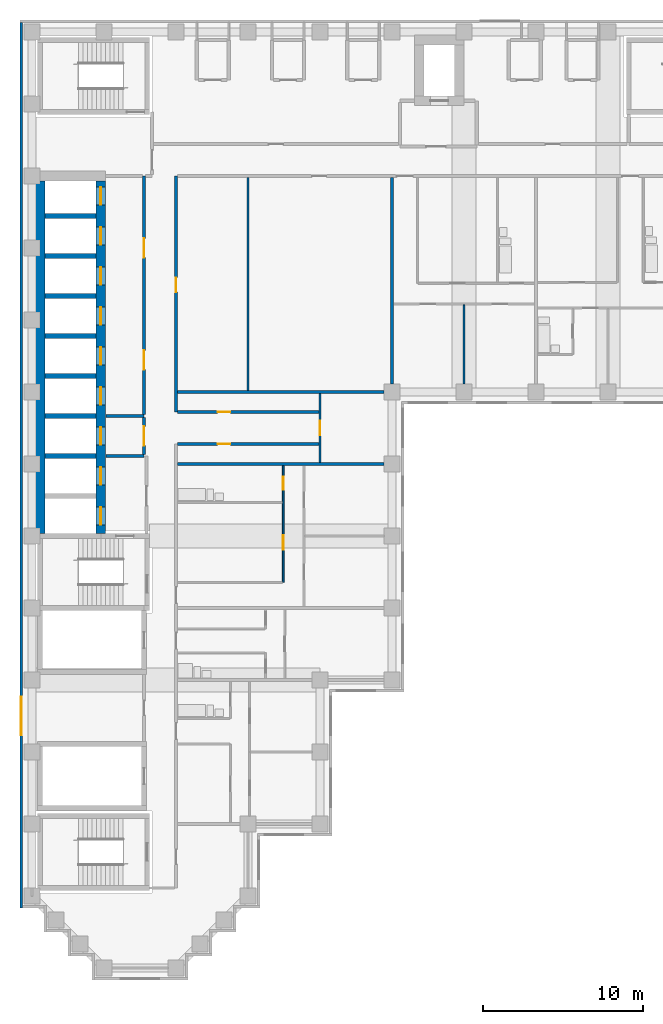
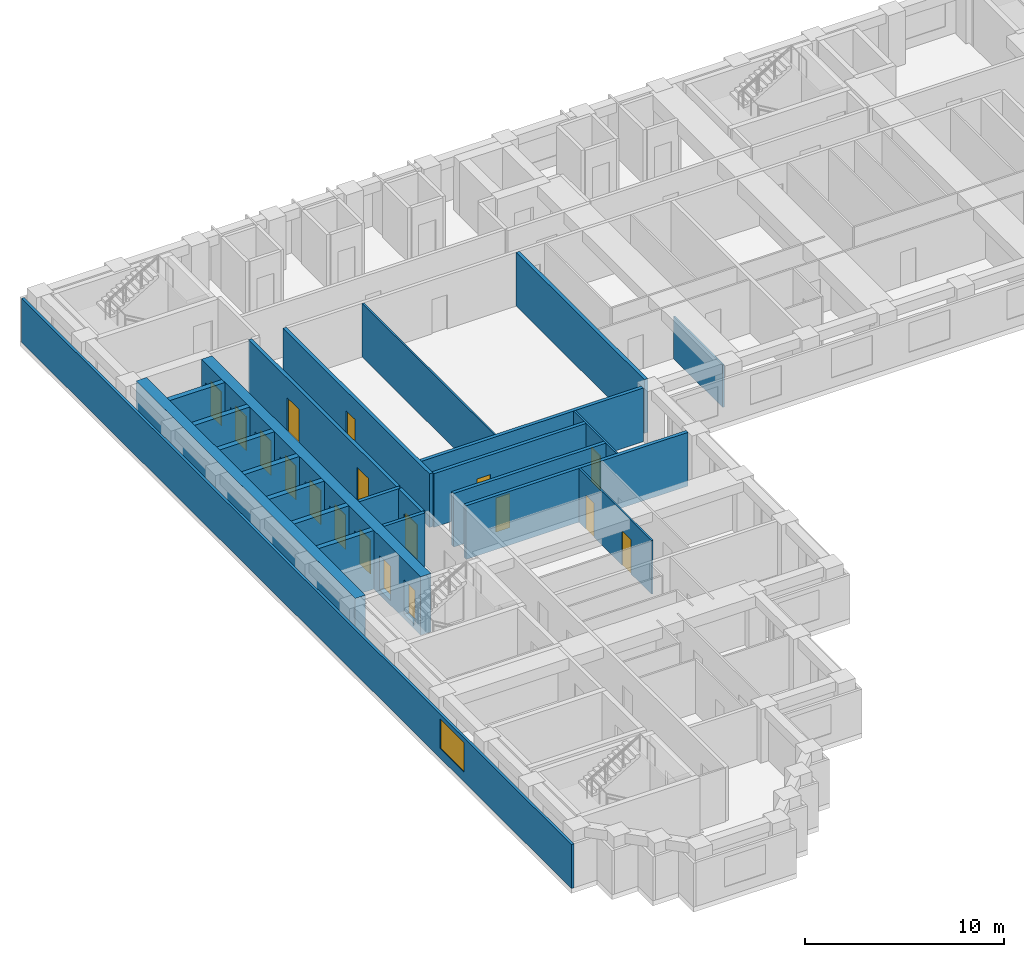
# One storey, part 4 of 12: 24 walls, 18 doors, 1 window, 19 openings.
"""IFC4 building model written with IfcOpenShell, lengths in metres."""

from ifc_helpers import new_model, si_unit, direction, frame, frame_2d, origin, place, context, subcontext, project, spatial, rectangle, extrude, material, layer, layer_set, type_object, element, fill, save


model = new_model("IFC4")

# Units and contexts
model_context = context("Model", 3, precision=1e-05, world=origin(), true_north=direction((0.0, 1.0)))
body_context = subcontext(model_context, "Body", "Model", "MODEL_VIEW")
ifc_project = project(units=[si_unit("LENGTHUNIT", "METRE"), si_unit("AREAUNIT", "SQUARE_METRE"), si_unit("VOLUMEUNIT", "CUBIC_METRE"), si_unit("PLANEANGLEUNIT", "RADIAN"), si_unit("MASSUNIT", "GRAM", prefix="KILO")], contexts=[model_context])

# Site, building, storey
site_placement = place(None, origin())
site = spatial("IfcSite", under=ifc_project, at=site_placement, CompositionType="ELEMENT")
building_placement = place(site_placement, origin())
building = spatial("IfcBuilding", under=site, at=building_placement, Name="Firuza Court", CompositionType="ELEMENT")
storey_placement = place(building_placement, frame((0.0, 0.0, 126.800048828125)))
storey = spatial("IfcBuildingStorey", under=building, at=storey_placement, Name="L31", CompositionType="ELEMENT", Elevation=126.800048828125)

# Walls
ifc_material_1 = material(Name="Concrete C60/75", Category="concrete")
ifc_layer_1 = layer(ifc_material_1, 0.300048828125)
ifc_layer_set_1 = layer_set([ifc_layer_1], Name="Concrete C60/75")
wall_type_1 = type_object("IfcWallType", Name="Core wall 300 C60/75", PredefinedType="SHEAR", material=ifc_layer_set_1)
for number, where, z_axis, x_axis, name in (
    (1, (0.800048828125, 32.0, -0.300048828125), (0.0, 0.0, 1.0), (1.0, 0.0, 0.0), "Core wall lift shaft L31"),
    (2, (0.800048828125, 34.5, -0.300048828125), (0.0, 0.0, 1.0), (1.0, 0.0, 0.0), "Core wall lift shaft L31"),
    (3, (0.800048828125, 37.0, -0.300048828125), (0.0, 0.0, 1.0), (1.0, 0.0, 0.0), "Core wall lift shaft L31"),
    (4, (0.800048828125, 39.5, -0.300048828125), (0.0, 0.0, 1.0), (1.0, 0.0, 0.0), "Core wall lift shaft L31"),
    (5, (0.800048828125, 42.0, -0.300048828125), (0.0, 0.0, 1.0), (1.0, 0.0, 0.0), "Core wall lift shaft L31"),
    (6, (0.800048828125, 44.5, -0.300048828125), (0.0, 0.0, 1.0), (1.0, 0.0, 0.0), "Core wall lift shaft L31"),
    (7, (0.800048828125, 47.0, -0.300048828125), (0.0, 0.0, 1.0), (1.0, 0.0, 0.0), "Core wall lift shaft L31"),
):
    element("IfcWall", number, at=place(storey_placement, frame(where, z_axis=z_axis, x_axis=x_axis)), inside=storey, type_object=wall_type_1, Name=name, PredefinedType="SHEAR", context=body_context, shape_type="SweptSolid", body=[
        extrude(rectangle(XDim=3.199951171875, YDim=0.300048828125, at=frame_2d((1.60009765625, 0.0))), origin(), (0.0, 0.0, 1.0), 3.60009765625),
    ])
ifc_layer_2 = layer(ifc_material_1, 0.60009765625)
ifc_layer_set_2 = layer_set([ifc_layer_2], Name="Concrete C60/75")
wall_type_2 = type_object("IfcWallType", Name="Core wall 600 C60/75", PredefinedType="SHEAR", material=ifc_layer_set_2)
wall_1_placement = place(storey_placement, frame((0.5, 27.14990234375, -0.300048828125), z_axis=(0.0, 0.0, 1.0), x_axis=(0.0, 1.0, 0.0)))
element("IfcWall", 8, at=wall_1_placement, inside=storey, type_object=wall_type_2, Name="Core wall lift shaft L31", PredefinedType="SHEAR", context=body_context, shape_type="SweptSolid", body=[
    extrude(rectangle(XDim=22.050048828125, YDim=0.60009765625, at=frame_2d((11.02490234375, 0.0))), origin(), (0.0, 0.0, 1.0), 3.60009765625),
])

# Wall, openings, doors
wall_2_placement = place(storey_placement, frame((4.300048828125, 27.14990234375, -0.300048828125), z_axis=(0.0, 0.0, 1.0), x_axis=(0.0, 1.0, 0.0)))
wall_2 = element("IfcWall", 9, at=wall_2_placement, inside=storey, type_object=wall_type_2, Name="Core wall lift shaft L31", PredefinedType="SHEAR", context=body_context, shape_type="SweptSolid", body=[
    extrude(rectangle(XDim=22.050048828125, YDim=0.60009765625, at=frame_2d((11.02490234375, 0.0))), origin(), (0.0, 0.0, 1.0), 3.60009765625),
])
opening_1_placement = place(wall_2_placement, frame((3.050048828125, 0.0, 0.300048828125)))
opening_1 = element("IfcOpeningElement", 10, at=opening_1_placement, cuts=wall_2, Name="Opening LD-FL1-31", PredefinedType="OPENING", context=body_context, shape_type="SweptSolid", body=[
    extrude(rectangle(XDim=1.10009765625, YDim=2.10009765625, at=frame_2d((0.550048828125, 1.050048828125))), frame((0.0, 0.31201171875, 0.0), z_axis=(0.0, -1.0, 0.0), x_axis=(1.0, 0.0, 0.0)), (0.0, 0.0, 1.0), 0.6240234375),
])
opening_2_placement = place(wall_2_placement, frame((0.550048828125, 0.0, 0.300048828125)))
opening_2 = element("IfcOpeningElement", 11, at=opening_2_placement, cuts=wall_2, Name="Opening LD-FL2-31", PredefinedType="OPENING", context=body_context, shape_type="SweptSolid", body=[
    extrude(rectangle(XDim=1.10009765625, YDim=2.10009765625, at=frame_2d((0.550048828125, 1.050048828125))), frame((0.0, 0.31201171875, 0.0), z_axis=(0.0, -1.0, 0.0), x_axis=(1.0, 0.0, 0.0)), (0.0, 0.0, 1.0), 0.6240234375),
])
opening_3_placement = place(wall_2_placement, frame((20.550048828125, 0.0, 0.300048828125)))
opening_3 = element("IfcOpeningElement", 12, at=opening_3_placement, cuts=wall_2, Name="Opening LD-HB1-31", PredefinedType="OPENING", context=body_context, shape_type="SweptSolid", body=[
    extrude(rectangle(XDim=1.10009765625, YDim=2.10009765625, at=frame_2d((0.550048828125, 1.050048828125))), frame((0.0, 0.31201171875, 0.0), z_axis=(0.0, -1.0, 0.0), x_axis=(1.0, 0.0, 0.0)), (0.0, 0.0, 1.0), 0.6240234375),
])
opening_4_placement = place(wall_2_placement, frame((18.050048828125, 0.0, 0.300048828125)))
opening_4 = element("IfcOpeningElement", 13, at=opening_4_placement, cuts=wall_2, Name="Opening LD-HB2-31", PredefinedType="OPENING", context=body_context, shape_type="SweptSolid", body=[
    extrude(rectangle(XDim=1.10009765625, YDim=2.10009765625, at=frame_2d((0.550048828125, 1.050048828125))), frame((0.0, 0.31201171875, 0.0), z_axis=(0.0, -1.0, 0.0), x_axis=(1.0, 0.0, 0.0)), (0.0, 0.0, 1.0), 0.6240234375),
])
opening_5_placement = place(wall_2_placement, frame((15.550048828125, 0.0, 0.300048828125)))
opening_5 = element("IfcOpeningElement", 14, at=opening_5_placement, cuts=wall_2, Name="Opening LD-HB3-31", PredefinedType="OPENING", context=body_context, shape_type="SweptSolid", body=[
    extrude(rectangle(XDim=1.10009765625, YDim=2.10009765625, at=frame_2d((0.550048828125, 1.050048828125))), frame((0.0, 0.31201171875, 0.0), z_axis=(0.0, -1.0, 0.0), x_axis=(1.0, 0.0, 0.0)), (0.0, 0.0, 1.0), 0.6240234375),
])
opening_6_placement = place(wall_2_placement, frame((13.050048828125, 0.0, 0.300048828125)))
opening_6 = element("IfcOpeningElement", 15, at=opening_6_placement, cuts=wall_2, Name="Opening LD-HB4-31", PredefinedType="OPENING", context=body_context, shape_type="SweptSolid", body=[
    extrude(rectangle(XDim=1.10009765625, YDim=2.10009765625, at=frame_2d((0.550048828125, 1.050048828125))), frame((0.0, 0.31201171875, 0.0), z_axis=(0.0, -1.0, 0.0), x_axis=(1.0, 0.0, 0.0)), (0.0, 0.0, 1.0), 0.6240234375),
])
opening_7_placement = place(wall_2_placement, frame((10.550048828125, 0.0, 0.300048828125)))
opening_7 = element("IfcOpeningElement", 16, at=opening_7_placement, cuts=wall_2, Name="Opening LD-HB5-31", PredefinedType="OPENING", context=body_context, shape_type="SweptSolid", body=[
    extrude(rectangle(XDim=1.10009765625, YDim=2.10009765625, at=frame_2d((0.550048828125, 1.050048828125))), frame((0.0, 0.31201171875, 0.0), z_axis=(0.0, -1.0, 0.0), x_axis=(1.0, 0.0, 0.0)), (0.0, 0.0, 1.0), 0.6240234375),
])
opening_8_placement = place(wall_2_placement, frame((8.050048828125, 0.0, 0.300048828125)))
opening_8 = element("IfcOpeningElement", 17, at=opening_8_placement, cuts=wall_2, Name="Opening LD-HB6-31", PredefinedType="OPENING", context=body_context, shape_type="SweptSolid", body=[
    extrude(rectangle(XDim=1.10009765625, YDim=2.10009765625, at=frame_2d((0.550048828125, 1.050048828125))), frame((0.0, 0.31201171875, 0.0), z_axis=(0.0, -1.0, 0.0), x_axis=(1.0, 0.0, 0.0)), (0.0, 0.0, 1.0), 0.6240234375),
])
opening_9_placement = place(wall_2_placement, frame((5.550048828125, 0.0, 0.300048828125)))
opening_9 = element("IfcOpeningElement", 18, at=opening_9_placement, cuts=wall_2, Name="Opening LD-SL1-31", PredefinedType="OPENING", context=body_context, shape_type="SweptSolid", body=[
    extrude(rectangle(XDim=1.10009765625, YDim=2.10009765625, at=frame_2d((0.550048828125, 1.050048828125))), frame((0.0, 0.31201171875, 0.0), z_axis=(0.0, -1.0, 0.0), x_axis=(1.0, 0.0, 0.0)), (0.0, 0.0, 1.0), 0.6240234375),
])
ifc_material_2 = material(Name="Stainless steel 1.4301 door leaf", Category="steel")
door_type_1 = type_object("IfcDoorType", Name="Lift landing door 1100", OperationType="SLIDING_TO_LEFT", PredefinedType="DOOR", material=ifc_material_2)
door_1_placement = place(opening_1_placement, origin())
door_1 = element("IfcDoor", 19, at=door_1_placement, inside=storey, type_object=door_type_1, Name="Landing door FL1", OperationType="SLIDING_TO_LEFT", OverallHeight=2.10009765625, OverallWidth=1.10009765625, PredefinedType="DOOR", context=body_context, shape_type="SweptSolid", body=[
    extrude(rectangle(XDim=1.10009765625, YDim=2.10009765625, at=frame_2d((0.550048828125, 1.050048828125))), frame((0.0, 0.02490234375, 0.0), z_axis=(0.0, -1.0, 0.0), x_axis=(1.0, 0.0, 0.0)), (0.0, 0.0, 1.0), 0.050048828125),
])
fill(opening_1, door_1)
door_2_placement = place(opening_2_placement, origin())
door_2 = element("IfcDoor", 20, at=door_2_placement, inside=storey, type_object=door_type_1, Name="Landing door FL2", OperationType="SLIDING_TO_LEFT", OverallHeight=2.10009765625, OverallWidth=1.10009765625, PredefinedType="DOOR", context=body_context, shape_type="SweptSolid", body=[
    extrude(rectangle(XDim=1.10009765625, YDim=2.10009765625, at=frame_2d((0.550048828125, 1.050048828125))), frame((0.0, 0.02490234375, 0.0), z_axis=(0.0, -1.0, 0.0), x_axis=(1.0, 0.0, 0.0)), (0.0, 0.0, 1.0), 0.050048828125),
])
fill(opening_2, door_2)
door_3_placement = place(opening_3_placement, origin())
door_3 = element("IfcDoor", 21, at=door_3_placement, inside=storey, type_object=door_type_1, Name="Landing door HB1", OperationType="SLIDING_TO_LEFT", OverallHeight=2.10009765625, OverallWidth=1.10009765625, PredefinedType="DOOR", context=body_context, shape_type="SweptSolid", body=[
    extrude(rectangle(XDim=1.10009765625, YDim=2.10009765625, at=frame_2d((0.550048828125, 1.050048828125))), frame((0.0, 0.02490234375, 0.0), z_axis=(0.0, -1.0, 0.0), x_axis=(1.0, 0.0, 0.0)), (0.0, 0.0, 1.0), 0.050048828125),
])
fill(opening_3, door_3)
door_4_placement = place(opening_4_placement, origin())
door_4 = element("IfcDoor", 22, at=door_4_placement, inside=storey, type_object=door_type_1, Name="Landing door HB2", OperationType="SLIDING_TO_LEFT", OverallHeight=2.10009765625, OverallWidth=1.10009765625, PredefinedType="DOOR", context=body_context, shape_type="SweptSolid", body=[
    extrude(rectangle(XDim=1.10009765625, YDim=2.10009765625, at=frame_2d((0.550048828125, 1.050048828125))), frame((0.0, 0.02490234375, 0.0), z_axis=(0.0, -1.0, 0.0), x_axis=(1.0, 0.0, 0.0)), (0.0, 0.0, 1.0), 0.050048828125),
])
fill(opening_4, door_4)
door_5_placement = place(opening_5_placement, origin())
door_5 = element("IfcDoor", 23, at=door_5_placement, inside=storey, type_object=door_type_1, Name="Landing door HB3", OperationType="SLIDING_TO_LEFT", OverallHeight=2.10009765625, OverallWidth=1.10009765625, PredefinedType="DOOR", context=body_context, shape_type="SweptSolid", body=[
    extrude(rectangle(XDim=1.10009765625, YDim=2.10009765625, at=frame_2d((0.550048828125, 1.050048828125))), frame((0.0, 0.02490234375, 0.0), z_axis=(0.0, -1.0, 0.0), x_axis=(1.0, 0.0, 0.0)), (0.0, 0.0, 1.0), 0.050048828125),
])
fill(opening_5, door_5)
door_6_placement = place(opening_6_placement, origin())
door_6 = element("IfcDoor", 24, at=door_6_placement, inside=storey, type_object=door_type_1, Name="Landing door HB4", OperationType="SLIDING_TO_LEFT", OverallHeight=2.10009765625, OverallWidth=1.10009765625, PredefinedType="DOOR", context=body_context, shape_type="SweptSolid", body=[
    extrude(rectangle(XDim=1.10009765625, YDim=2.10009765625, at=frame_2d((0.550048828125, 1.050048828125))), frame((0.0, 0.02490234375, 0.0), z_axis=(0.0, -1.0, 0.0), x_axis=(1.0, 0.0, 0.0)), (0.0, 0.0, 1.0), 0.050048828125),
])
fill(opening_6, door_6)
door_7_placement = place(opening_7_placement, origin())
door_7 = element("IfcDoor", 25, at=door_7_placement, inside=storey, type_object=door_type_1, Name="Landing door HB5", OperationType="SLIDING_TO_LEFT", OverallHeight=2.10009765625, OverallWidth=1.10009765625, PredefinedType="DOOR", context=body_context, shape_type="SweptSolid", body=[
    extrude(rectangle(XDim=1.10009765625, YDim=2.10009765625, at=frame_2d((0.550048828125, 1.050048828125))), frame((0.0, 0.02490234375, 0.0), z_axis=(0.0, -1.0, 0.0), x_axis=(1.0, 0.0, 0.0)), (0.0, 0.0, 1.0), 0.050048828125),
])
fill(opening_7, door_7)
door_8_placement = place(opening_8_placement, origin())
door_8 = element("IfcDoor", 26, at=door_8_placement, inside=storey, type_object=door_type_1, Name="Landing door HB6", OperationType="SLIDING_TO_LEFT", OverallHeight=2.10009765625, OverallWidth=1.10009765625, PredefinedType="DOOR", context=body_context, shape_type="SweptSolid", body=[
    extrude(rectangle(XDim=1.10009765625, YDim=2.10009765625, at=frame_2d((0.550048828125, 1.050048828125))), frame((0.0, 0.02490234375, 0.0), z_axis=(0.0, -1.0, 0.0), x_axis=(1.0, 0.0, 0.0)), (0.0, 0.0, 1.0), 0.050048828125),
])
fill(opening_8, door_8)
door_9_placement = place(opening_9_placement, origin())
door_9 = element("IfcDoor", 27, at=door_9_placement, inside=storey, type_object=door_type_1, Name="Landing door SL1", OperationType="SLIDING_TO_LEFT", OverallHeight=2.10009765625, OverallWidth=1.10009765625, PredefinedType="DOOR", context=body_context, shape_type="SweptSolid", body=[
    extrude(rectangle(XDim=1.10009765625, YDim=2.10009765625, at=frame_2d((0.550048828125, 1.050048828125))), frame((0.0, 0.02490234375, 0.0), z_axis=(0.0, -1.0, 0.0), x_axis=(1.0, 0.0, 0.0)), (0.0, 0.0, 1.0), 0.050048828125),
])
fill(opening_9, door_9)

# Wall, opening, door
ifc_material_3 = material(Name="Blockwork, plastered both sides", Category="masonry")
ifc_layer_3 = layer(ifc_material_3, 0.199951171875)
ifc_layer_set_3 = layer_set([ifc_layer_3], Name="Blockwork, plastered both sides")
wall_type_3 = type_object("IfcWallType", Name="Corridor wall 200", PredefinedType="PARTITIONING", material=ifc_layer_set_3)
wall_3_placement = place(storey_placement, frame((9.10009765625, 32.75, 0.0), z_axis=(0.0, 0.0, 1.0), x_axis=(1.0, 0.0, 0.0)))
wall_3 = element("IfcWall", 28, at=wall_3_placement, inside=storey, type_object=wall_type_3, Name="Corridor wall 200 L31", PredefinedType="PARTITIONING", context=body_context, shape_type="SweptSolid", body=[
    extrude(rectangle(XDim=8.849853515625, YDim=0.199951171875, at=frame_2d((4.4248046875, 0.0))), origin(), (0.0, 0.0, 1.0), 3.300048828125),
])
opening_10_placement = place(wall_3_placement, frame((2.5, 0.0, 0.0)))
opening_10 = element("IfcOpeningElement", 29, at=opening_10_placement, cuts=wall_3, Name="Opening D31035", PredefinedType="OPENING", context=body_context, shape_type="SweptSolid", body=[
    extrude(rectangle(XDim=0.800048828125, YDim=2.10009765625, at=frame_2d((0.39990234375, 1.050048828125))), frame((0.0, 0.11181640625, 0.0), z_axis=(0.0, -1.0, 0.0), x_axis=(1.0, 0.0, 0.0)), (0.0, 0.0, 1.0), 0.223876953125),
])
ifc_material_4 = material(Name="Timber door leaf in hardwood frame", Category="wood")
door_type_2 = type_object("IfcDoorType", Name="Room door 800 EI 30", OperationType="SINGLE_SWING_LEFT", PredefinedType="DOOR", material=ifc_material_4)
door_10_placement = place(opening_10_placement, frame((0.800048828125, 0.0, 0.0), z_axis=(0.0, 0.0, 1.0), x_axis=(-1.0, 0.0, 0.0)))
door_10 = element("IfcDoor", 30, at=door_10_placement, inside=storey, type_object=door_type_2, Name="Store door", OperationType="SINGLE_SWING_RIGHT", OverallHeight=2.10009765625, OverallWidth=0.800048828125, PredefinedType="DOOR", context=body_context, shape_type="SweptSolid", body=[
    extrude(rectangle(XDim=0.800048828125, YDim=2.10009765625, at=frame_2d((0.39990234375, 1.050048828125))), frame((0.0, 0.02490234375, 0.0), z_axis=(0.0, -1.0, 0.0), x_axis=(1.0, 0.0, 0.0)), (0.0, 0.0, 1.0), 0.050048828125),
])
fill(opening_10, door_10)

wall_4_placement = place(storey_placement, frame((9.0, 34.75, 0.0), z_axis=(0.0, 0.0, 1.0), x_axis=(0.0, 1.0, 0.0)))
wall_4 = element("IfcWall", 31, at=wall_4_placement, inside=storey, type_object=wall_type_3, Name="Corridor wall 200 L31", PredefinedType="PARTITIONING", context=body_context, shape_type="SweptSolid", body=[
    extrude(rectangle(XDim=14.75, YDim=0.199951171875, at=frame_2d((7.375, 0.0))), origin(), (0.0, 0.0, 1.0), 3.300048828125),
])
opening_11_placement = place(wall_4_placement, frame((7.5, 0.0, 0.0)))
opening_11 = element("IfcOpeningElement", 32, at=opening_11_placement, cuts=wall_4, Name="Opening D31036", PredefinedType="OPENING", context=body_context, shape_type="SweptSolid", body=[
    extrude(rectangle(XDim=0.89990234375, YDim=2.10009765625, at=frame_2d((0.449951171875, 1.050048828125))), frame((0.0, 0.11181640625, 0.0), z_axis=(0.0, -1.0, 0.0), x_axis=(1.0, 0.0, 0.0)), (0.0, 0.0, 1.0), 0.223876953125),
])
ifc_material_5 = material(Name="Timber door leaf in hardwood frame", Category="wood")
door_type_3 = type_object("IfcDoorType", Name="Room door 900 EI 30", OperationType="SINGLE_SWING_LEFT", PredefinedType="DOOR", material=ifc_material_5)
door_11_placement = place(opening_11_placement, origin())
door_11 = element("IfcDoor", 33, at=door_11_placement, inside=storey, type_object=door_type_3, Name="Residents' lounge door", OperationType="SINGLE_SWING_LEFT", OverallHeight=2.10009765625, OverallWidth=0.89990234375, PredefinedType="DOOR", context=body_context, shape_type="SweptSolid", body=[
    extrude(rectangle(XDim=0.89990234375, YDim=2.10009765625, at=frame_2d((0.449951171875, 1.050048828125))), frame((0.0, 0.02490234375, 0.0), z_axis=(0.0, -1.0, 0.0), x_axis=(1.0, 0.0, 0.0)), (0.0, 0.0, 1.0), 0.050048828125),
])
fill(opening_11, door_11)

wall_5_placement = place(storey_placement, frame((9.10009765625, 34.75, 0.0), z_axis=(0.0, 0.0, 1.0), x_axis=(1.0, 0.0, 0.0)))
wall_5 = element("IfcWall", 34, at=wall_5_placement, inside=storey, type_object=wall_type_3, Name="Corridor wall 200 L31", PredefinedType="PARTITIONING", context=body_context, shape_type="SweptSolid", body=[
    extrude(rectangle(XDim=8.849853515625, YDim=0.199951171875, at=frame_2d((4.4248046875, 0.0))), origin(), (0.0, 0.0, 1.0), 3.300048828125),
])
opening_12_placement = place(wall_5_placement, frame((2.5, 0.0, 0.0)))
opening_12 = element("IfcOpeningElement", 35, at=opening_12_placement, cuts=wall_5, Name="Opening D31037", PredefinedType="OPENING", context=body_context, shape_type="SweptSolid", body=[
    extrude(rectangle(XDim=0.800048828125, YDim=2.10009765625, at=frame_2d((0.39990234375, 1.050048828125))), frame((0.0, 0.11181640625, 0.0), z_axis=(0.0, -1.0, 0.0), x_axis=(1.0, 0.0, 0.0)), (0.0, 0.0, 1.0), 0.223876953125),
])
door_12_placement = place(opening_12_placement, origin())
door_12 = element("IfcDoor", 36, at=door_12_placement, inside=storey, type_object=door_type_2, Name="Store door", OperationType="SINGLE_SWING_LEFT", OverallHeight=2.10009765625, OverallWidth=0.800048828125, PredefinedType="DOOR", context=body_context, shape_type="SweptSolid", body=[
    extrude(rectangle(XDim=0.800048828125, YDim=2.10009765625, at=frame_2d((0.39990234375, 1.050048828125))), frame((0.0, 0.02490234375, 0.0), z_axis=(0.0, -1.0, 0.0), x_axis=(1.0, 0.0, 0.0)), (0.0, 0.0, 1.0), 0.050048828125),
])
fill(opening_12, door_12)

# Wall, openings, doors
ifc_material_6 = material(Name="Timber stud partition, plasterboard both sides", Category="wood")
ifc_layer_4 = layer(ifc_material_6, 0.10009765625)
ifc_layer_set_4 = layer_set([ifc_layer_4], Name="Timber stud partition, plasterboard both sides")
wall_type_4 = type_object("IfcWallType", Name="Partition wall 100", PredefinedType="PARTITIONING", material=ifc_layer_set_4)
wall_6_placement = place(storey_placement, frame((15.699951171875, 24.10009765625, 0.0), z_axis=(0.0, 0.0, 1.0), x_axis=(0.0, 1.0, 0.0)))
wall_6 = element("IfcWall", 37, at=wall_6_placement, inside=storey, type_object=wall_type_4, Name="Partition wall 100 L31", PredefinedType="PARTITIONING", context=body_context, shape_type="SweptSolid", body=[
    extrude(rectangle(XDim=7.2998046875, YDim=0.10009765625, at=frame_2d((3.64990234375, 0.0))), origin(), (0.0, 0.0, 1.0), 3.300048828125),
])
opening_13_placement = place(wall_6_placement, frame((5.800048828125, 0.0, 0.0)))
opening_13 = element("IfcOpeningElement", 38, at=opening_13_placement, cuts=wall_6, Name="Opening D31032", PredefinedType="OPENING", context=body_context, shape_type="SweptSolid", body=[
    extrude(rectangle(XDim=0.800048828125, YDim=2.10009765625, at=frame_2d((0.39990234375, 1.050048828125))), frame((0.0, 0.06201171875, 0.0), z_axis=(0.0, -1.0, 0.0), x_axis=(1.0, 0.0, 0.0)), (0.0, 0.0, 1.0), 0.1240234375),
])
opening_14_placement = place(wall_6_placement, frame((2.050048828125, 0.0, 0.0)))
opening_14 = element("IfcOpeningElement", 39, at=opening_14_placement, cuts=wall_6, Name="Opening D31033", PredefinedType="OPENING", context=body_context, shape_type="SweptSolid", body=[
    extrude(rectangle(XDim=0.89990234375, YDim=2.10009765625, at=frame_2d((0.449951171875, 1.050048828125))), frame((0.0, 0.06201171875, 0.0), z_axis=(0.0, -1.0, 0.0), x_axis=(1.0, 0.0, 0.0)), (0.0, 0.0, 1.0), 0.1240234375),
])
ifc_material_7 = material(Name="Timber door leaf in hardwood frame", Category="wood")
door_type_4 = type_object("IfcDoorType", Name="Bathroom door 800", OperationType="SINGLE_SWING_LEFT", PredefinedType="DOOR", material=ifc_material_7)
door_13_placement = place(opening_13_placement, origin())
door_13 = element("IfcDoor", 40, at=door_13_placement, inside=storey, type_object=door_type_4, Name="Bathroom door", OperationType="SINGLE_SWING_LEFT", OverallHeight=2.10009765625, OverallWidth=0.800048828125, PredefinedType="DOOR", context=body_context, shape_type="SweptSolid", body=[
    extrude(rectangle(XDim=0.800048828125, YDim=2.10009765625, at=frame_2d((0.39990234375, 1.050048828125))), frame((0.0, 0.02490234375, 0.0), z_axis=(0.0, -1.0, 0.0), x_axis=(1.0, 0.0, 0.0)), (0.0, 0.0, 1.0), 0.050048828125),
])
fill(opening_13, door_13)
ifc_material_8 = material(Name="Timber door leaf in hardwood frame", Category="wood")
door_type_5 = type_object("IfcDoorType", Name="Room door 900", OperationType="SINGLE_SWING_LEFT", PredefinedType="DOOR", material=ifc_material_8)
door_14_placement = place(opening_14_placement, origin())
door_14 = element("IfcDoor", 41, at=door_14_placement, inside=storey, type_object=door_type_5, Name="Kitchen door", OperationType="SINGLE_SWING_LEFT", OverallHeight=2.10009765625, OverallWidth=0.89990234375, PredefinedType="DOOR", context=body_context, shape_type="SweptSolid", body=[
    extrude(rectangle(XDim=0.89990234375, YDim=2.10009765625, at=frame_2d((0.449951171875, 1.050048828125))), frame((0.0, 0.02490234375, 0.0), z_axis=(0.0, -1.0, 0.0), x_axis=(1.0, 0.0, 0.0)), (0.0, 0.0, 1.0), 0.050048828125),
])
fill(opening_14, door_14)

# Wall, opening, door
wall_7_placement = place(storey_placement, frame((18.0, 31.60009765625, 0.0), z_axis=(0.0, 0.0, 1.0), x_axis=(0.0, 1.0, 0.0)))
wall_7 = element("IfcWall", 42, at=wall_7_placement, inside=storey, type_object=wall_type_4, Name="Partition wall 100 L31", PredefinedType="PARTITIONING", context=body_context, shape_type="SweptSolid", body=[
    extrude(rectangle(XDim=4.2998046875, YDim=0.10009765625, at=frame_2d((2.14990234375, 0.0))), origin(), (0.0, 0.0, 1.0), 3.300048828125),
])
opening_15_placement = place(wall_7_placement, frame((1.699951171875, 0.0, 0.0)))
opening_15 = element("IfcOpeningElement", 43, at=opening_15_placement, cuts=wall_7, Name="Opening D31034", PredefinedType="OPENING", context=body_context, shape_type="SweptSolid", body=[
    extrude(rectangle(XDim=0.89990234375, YDim=2.10009765625, at=frame_2d((0.449951171875, 1.050048828125))), frame((0.0, 0.06201171875, 0.0), z_axis=(0.0, -1.0, 0.0), x_axis=(1.0, 0.0, 0.0)), (0.0, 0.0, 1.0), 0.1240234375),
])
door_15_placement = place(opening_15_placement, origin())
door_15 = element("IfcDoor", 44, at=door_15_placement, inside=storey, type_object=door_type_5, Name="Residents' lounge door", OperationType="SINGLE_SWING_LEFT", OverallHeight=2.10009765625, OverallWidth=0.89990234375, PredefinedType="DOOR", context=body_context, shape_type="SweptSolid", body=[
    extrude(rectangle(XDim=0.89990234375, YDim=2.10009765625, at=frame_2d((0.449951171875, 1.050048828125))), frame((0.0, 0.02490234375, 0.0), z_axis=(0.0, -1.0, 0.0), x_axis=(1.0, 0.0, 0.0)), (0.0, 0.0, 1.0), 0.050048828125),
])
fill(opening_15, door_15)

# Walls
wall_8_placement = place(storey_placement, frame((13.5, 36.10009765625, 0.0), z_axis=(0.0, 0.0, 1.0), x_axis=(0.0, 1.0, 0.0)))
element("IfcWall", 45, at=wall_8_placement, inside=storey, type_object=wall_type_4, Name="Partition wall 100 L31", PredefinedType="PARTITIONING", context=body_context, shape_type="SweptSolid", body=[
    extrude(rectangle(XDim=13.2998046875, YDim=0.10009765625, at=frame_2d((6.64990234375, 0.0))), origin(), (0.0, 0.0, 1.0), 3.300048828125),
])
wall_9_placement = place(storey_placement, frame((27.0, 36.5, 0.0), z_axis=(0.0, 0.0, 1.0), x_axis=(0.0, 1.0, 0.0)))
element("IfcWall", 46, at=wall_9_placement, inside=storey, type_object=wall_type_4, Name="Partition wall 100 L31", PredefinedType="PARTITIONING", context=body_context, shape_type="SweptSolid", body=[
    extrude(rectangle(XDim=4.949951171875, YDim=0.10009765625, at=frame_2d((2.47509765625, 0.0))), origin(), (0.0, 0.0, 1.0), 2.599853515625),
])
ifc_layer_5 = layer(ifc_material_3, 0.199951171875)
ifc_layer_set_5 = layer_set([ifc_layer_5], Name="Blockwork, plastered both sides")
wall_type_5 = type_object("IfcWallType", Name="Party wall 200", PredefinedType="PARTITIONING", material=ifc_layer_set_5)
for number, where, z_axis, x_axis, name in (
    (47, (9.10009765625, 31.5, 0.0), (0.0, 0.0, 1.0), (1.0, 0.0, 0.0), "Party wall 200 L31"),
    (48, (9.10009765625, 36.0, 0.0), (0.0, 0.0, 1.0), (1.0, 0.0, 0.0), "Party wall 200 L31"),
    (49, (22.5, 36.5, 0.0), (0.0, 0.0, 1.0), (0.0, 1.0, 0.0), "Party wall 200 L31"),
):
    element("IfcWall", number, at=place(storey_placement, frame(where, z_axis=z_axis, x_axis=x_axis)), inside=storey, type_object=wall_type_5, Name=name, PredefinedType="PARTITIONING", context=body_context, shape_type="SweptSolid", body=[
        extrude(rectangle(XDim=12.89990234375, YDim=0.199951171875, at=frame_2d((6.449951171875, 0.0))), origin(), (0.0, 0.0, 1.0), 3.300048828125),
    ])

# Wall, opening, window
ifc_material_9 = material(Name="Ceramic tile", Category="ceramic")
ifc_layer_6 = layer(ifc_material_9, 0.02001953125)
ifc_material_10 = material(Name="Mineral wool insulation", Category="insulation")
ifc_layer_7 = layer(ifc_material_10, 0.050048828125)
ifc_material_11 = material(Name="Concrete C40/50 precast", Category="concrete")
ifc_layer_8 = layer(ifc_material_11, 0.080078125)
ifc_layer_set_6 = layer_set([ifc_layer_6, ifc_layer_7, ifc_layer_8], Name="Concrete C40/50 precast")
wall_type_6 = type_object("IfcWallType", Name="Precast cladding wall with turquoise TILE PANEL face 150", PredefinedType="STANDARD", material=ifc_layer_set_6)
wall_10_placement = place(storey_placement, frame((-0.675048828125, 59.10009765625, 0.0), z_axis=(0.0, 0.0, 1.0), x_axis=(0.0, -1.0, 0.0)))
wall_10 = element("IfcWall", 50, at=wall_10_placement, inside=storey, type_object=wall_type_6, Name="Facade wall L31 W", PredefinedType="STANDARD", context=body_context, shape_type="SweptSolid", body=[
    extrude(rectangle(XDim=55.35009765625, YDim=0.14990234375, at=frame_2d((27.675048828125, 0.0))), origin(), (0.0, 0.0, 1.0), 2.699951171875),
])
opening_16_placement = place(wall_10_placement, frame((42.14990234375, 0.0, 0.60009765625)))
opening_16 = element("IfcOpeningElement", 51, at=opening_16_placement, cuts=wall_10, Name="Opening W1", PredefinedType="OPENING", context=body_context, shape_type="SweptSolid", body=[
    extrude(rectangle(XDim=2.39990234375, YDim=1.800048828125, at=frame_2d((1.199951171875, 0.89990234375))), frame((0.0, 0.0869140625, 0.0), z_axis=(0.0, -1.0, 0.0), x_axis=(1.0, 0.0, 0.0)), (0.0, 0.0, 1.0), 0.173828125),
])
ifc_material_12 = material(Name="Aluminium frame, triple clear glazing", Category="aluminium")
window_type = type_object("IfcWindowType", Name="Window W1 2400 x 1800", PartitioningType="SINGLE_PANEL", PredefinedType="WINDOW", material=ifc_material_12)
window_placement = place(opening_16_placement, origin())
window = element("IfcWindow", 52, at=window_placement, inside=storey, type_object=window_type, Name="Window L31", OverallHeight=1.800048828125, OverallWidth=2.39990234375, PartitioningType="SINGLE_PANEL", PredefinedType="WINDOW", context=body_context, shape_type="SweptSolid", body=[
    extrude(rectangle(XDim=2.39990234375, YDim=1.800048828125, at=frame_2d((1.199951171875, 0.89990234375))), frame((0.0, 0.030029296875, 0.0), z_axis=(0.0, -1.0, 0.0), x_axis=(1.0, 0.0, 0.0)), (0.0, 0.0, 1.0), 0.06005859375),
])
fill(opening_16, window)

# Wall
ifc_material_13 = material(Name="Blockwork, fire-rated", Category="masonry")
ifc_layer_9 = layer(ifc_material_13, 0.199951171875)
ifc_layer_set_7 = layer_set([ifc_layer_9], Name="Blockwork, fire-rated")
wall_type_7 = type_object("IfcWallType", Name="Shaft wall 200", PredefinedType="PARTITIONING", material=ifc_layer_set_7)
wall_11_placement = place(storey_placement, frame((4.6201171875, 34.5, 0.0), z_axis=(0.0, 0.0, 1.0), x_axis=(1.0, 0.0, 0.0)))
element("IfcWall", 53, at=wall_11_placement, inside=storey, type_object=wall_type_7, Name="Shaft wall 200 L31", PredefinedType="PARTITIONING", context=body_context, shape_type="SweptSolid", body=[
    extrude(rectangle(XDim=2.3798828125, YDim=0.199951171875, at=frame_2d((1.18994140625, 0.0))), origin(), (0.0, 0.0, 1.0), 3.300048828125),
])

# Wall, openings, doors
wall_12_placement = place(storey_placement, frame((7.0, 34.60009765625, 0.0), z_axis=(0.0, 0.0, 1.0), x_axis=(0.0, 1.0, 0.0)))
wall_12 = element("IfcWall", 54, at=wall_12_placement, inside=storey, type_object=wall_type_7, Name="Shaft wall 200 L31", PredefinedType="PARTITIONING", context=body_context, shape_type="SweptSolid", body=[
    extrude(rectangle(XDim=14.89990234375, YDim=0.199951171875, at=frame_2d((7.449951171875, 0.0))), origin(), (0.0, 0.0, 1.0), 3.300048828125),
])
opening_17_placement = place(wall_12_placement, frame((2.800048828125, 0.0, 0.0)))
opening_17 = element("IfcOpeningElement", 55, at=opening_17_placement, cuts=wall_12, Name="Opening D31004", PredefinedType="OPENING", context=body_context, shape_type="SweptSolid", body=[
    extrude(rectangle(XDim=1.199951171875, YDim=2.10009765625, at=frame_2d((0.60009765625, 1.050048828125))), frame((0.0, 0.11181640625, 0.0), z_axis=(0.0, -1.0, 0.0), x_axis=(1.0, 0.0, 0.0)), (0.0, 0.0, 1.0), 0.223876953125),
])
opening_18_placement = place(wall_12_placement, frame((9.800048828125, 0.0, 0.0)))
opening_18 = element("IfcOpeningElement", 56, at=opening_18_placement, cuts=wall_12, Name="Opening D31005", PredefinedType="OPENING", context=body_context, shape_type="SweptSolid", body=[
    extrude(rectangle(XDim=1.199951171875, YDim=2.10009765625, at=frame_2d((0.60009765625, 1.050048828125))), frame((0.0, 0.11181640625, 0.0), z_axis=(0.0, -1.0, 0.0), x_axis=(1.0, 0.0, 0.0)), (0.0, 0.0, 1.0), 0.223876953125),
])
ifc_material_14 = material(Name="Timber door leaf in hardwood frame", Category="wood")
door_type_6 = type_object("IfcDoorType", Name="Lobby door 1200", OperationType="SINGLE_SWING_LEFT", PredefinedType="DOOR", material=ifc_material_14)
door_16_placement = place(opening_17_placement, origin())
door_16 = element("IfcDoor", 57, at=door_16_placement, inside=storey, type_object=door_type_6, Name="Lobby door", OperationType="SINGLE_SWING_LEFT", OverallHeight=2.10009765625, OverallWidth=1.199951171875, PredefinedType="DOOR", context=body_context, shape_type="SweptSolid", body=[
    extrude(rectangle(XDim=1.199951171875, YDim=2.10009765625, at=frame_2d((0.60009765625, 1.050048828125))), frame((0.0, 0.02490234375, 0.0), z_axis=(0.0, -1.0, 0.0), x_axis=(1.0, 0.0, 0.0)), (0.0, 0.0, 1.0), 0.050048828125),
])
fill(opening_17, door_16)
door_17_placement = place(opening_18_placement, origin())
door_17 = element("IfcDoor", 58, at=door_17_placement, inside=storey, type_object=door_type_6, Name="Lobby door", OperationType="SINGLE_SWING_RIGHT", OverallHeight=2.10009765625, OverallWidth=1.199951171875, PredefinedType="DOOR", context=body_context, shape_type="SweptSolid", body=[
    extrude(rectangle(XDim=1.199951171875, YDim=2.10009765625, at=frame_2d((0.60009765625, 1.050048828125))), frame((0.0, 0.02490234375, 0.0), z_axis=(0.0, -1.0, 0.0), x_axis=(1.0, 0.0, 0.0)), (0.0, 0.0, 1.0), 0.050048828125),
])
fill(opening_18, door_17)

# Wall
wall_13_placement = place(storey_placement, frame((4.6201171875, 32.0, 0.0), z_axis=(0.0, 0.0, 1.0), x_axis=(1.0, 0.0, 0.0)))
element("IfcWall", 59, at=wall_13_placement, inside=storey, type_object=wall_type_7, Name="Shaft wall 200 L31", PredefinedType="PARTITIONING", context=body_context, shape_type="SweptSolid", body=[
    extrude(rectangle(XDim=2.3798828125, YDim=0.199951171875, at=frame_2d((1.18994140625, 0.0))), origin(), (0.0, 0.0, 1.0), 3.300048828125),
])

# Wall, opening, door
wall_14_placement = place(storey_placement, frame((7.0, 32.10009765625, 0.0), z_axis=(0.0, 0.0, 1.0), x_axis=(0.0, 1.0, 0.0)))
wall_14 = element("IfcWall", 60, at=wall_14_placement, inside=storey, type_object=wall_type_7, Name="Shaft wall 200 L31", PredefinedType="PARTITIONING", context=body_context, shape_type="SweptSolid", body=[
    extrude(rectangle(XDim=2.2998046875, YDim=0.199951171875, at=frame_2d((1.14990234375, 0.0))), origin(), (0.0, 0.0, 1.0), 3.300048828125),
])
opening_19_placement = place(wall_14_placement, frame((0.550048828125, 0.0, 0.0)))
opening_19 = element("IfcOpeningElement", 61, at=opening_19_placement, cuts=wall_14, Name="Opening D31008", PredefinedType="OPENING", context=body_context, shape_type="SweptSolid", body=[
    extrude(rectangle(XDim=1.199951171875, YDim=2.10009765625, at=frame_2d((0.60009765625, 1.050048828125))), frame((0.0, 0.11181640625, 0.0), z_axis=(0.0, -1.0, 0.0), x_axis=(1.0, 0.0, 0.0)), (0.0, 0.0, 1.0), 0.223876953125),
])
door_18_placement = place(opening_19_placement, origin())
door_18 = element("IfcDoor", 62, at=door_18_placement, inside=storey, type_object=door_type_6, Name="Lobby door", OperationType="SINGLE_SWING_LEFT", OverallHeight=2.10009765625, OverallWidth=1.199951171875, PredefinedType="DOOR", context=body_context, shape_type="SweptSolid", body=[
    extrude(rectangle(XDim=1.199951171875, YDim=2.10009765625, at=frame_2d((0.60009765625, 1.050048828125))), frame((0.0, 0.02490234375, 0.0), z_axis=(0.0, -1.0, 0.0), x_axis=(1.0, 0.0, 0.0)), (0.0, 0.0, 1.0), 0.050048828125),
])
fill(opening_19, door_18)

save(model, "model.ifc")
